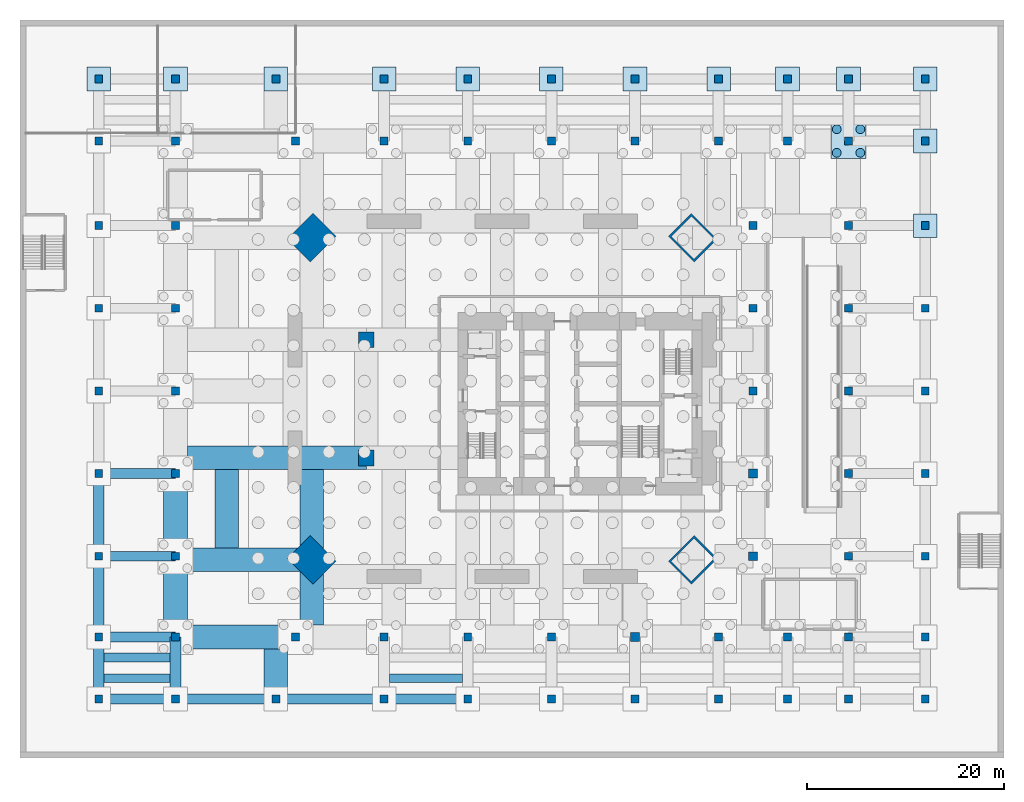
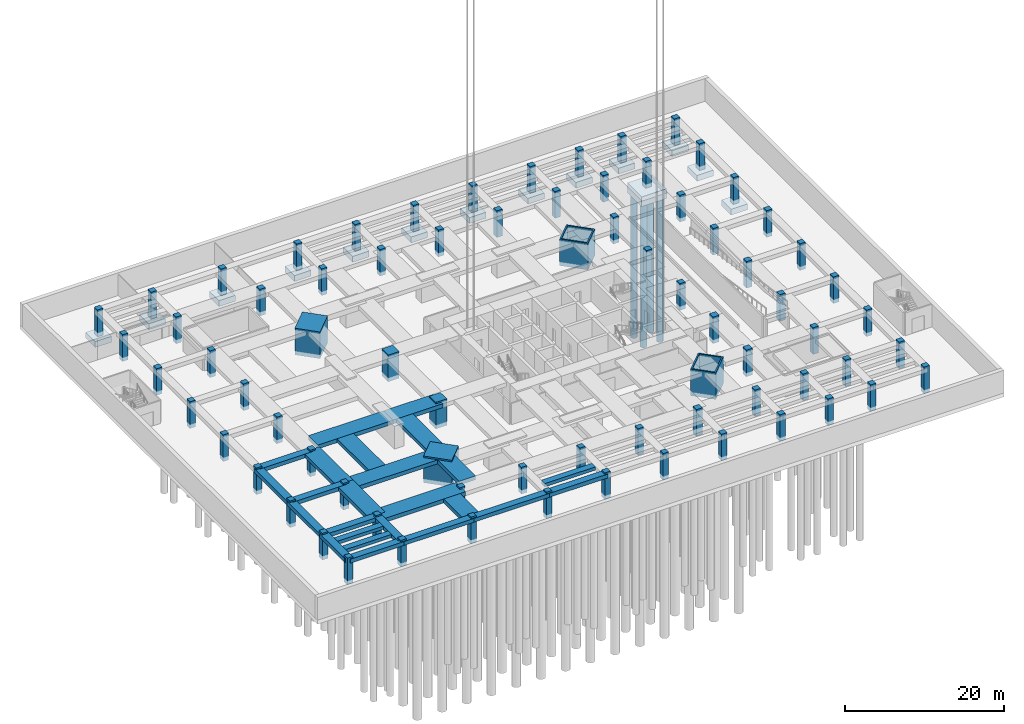
# One storey, part 3 of 15: 75 columns, 24 beams, 14 footings, 4 piles.
"""IFC4 building model written with IfcOpenShell, lengths in metres."""

from ifc_helpers import new_model, si_unit, direction, frame, origin, origin_2d, place, context, subcontext, project, spatial, polyline, rectangle, hollow_rectangle, circle, outline, extrude, material, layer, layer_set, material_profile, profile_set, type_object, element, save


model = new_model("IFC4")

# Units and contexts
model_context = context("Model", 3, precision=1e-05, world=origin(), true_north=direction((0.0, 1.0)))
body_context = subcontext(model_context, "Body", "Model", "MODEL_VIEW")
ifc_project = project(units=[si_unit("LENGTHUNIT", "METRE"), si_unit("AREAUNIT", "SQUARE_METRE"), si_unit("VOLUMEUNIT", "CUBIC_METRE"), si_unit("PLANEANGLEUNIT", "RADIAN"), si_unit("MASSUNIT", "GRAM", prefix="KILO")], contexts=[model_context])

# Site, building, storey
site_placement = place(None, origin())
site = spatial("IfcSite", under=ifc_project, at=site_placement, CompositionType="ELEMENT")
building_placement = place(site_placement, origin())
building = spatial("IfcBuilding", under=site, at=building_placement, Name="Jalousie Tower", CompositionType="ELEMENT")
storey_placement = place(building_placement, frame((0.0, 0.0, -7.5)))
storey = spatial("IfcBuildingStorey", under=building, at=storey_placement, Name="B2", CompositionType="ELEMENT", Elevation=-7.5)

# Piles
ifc_material_1 = material(Name="Concrete f'c 40 MPa", Category="concrete")
ifc_material_profile_1 = material_profile(ifc_material_1, circle(Radius=0.449951171875, at=origin_2d()), Name="BORED PILE D900")
ifc_profile_set_1 = profile_set([ifc_material_profile_1], Name="Concrete f'c 40 MPa")
pile_type = type_object("IfcPileType", Name="BORED PILE 900", PredefinedType="BORED", material=ifc_profile_set_1)
for number, where, z_axis, x_axis, name in (
    (1, (58.0, 44.0, -2.10009765625), (0.0, 0.0, -1.0), (1.0, 0.0, 0.0), "Pile PC4-33/1"),
    (2, (60.39990234375, 44.0, -2.10009765625), (0.0, 0.0, -1.0), (1.0, 0.0, 0.0), "Pile PC4-33/2"),
    (3, (60.39990234375, 46.39990234375, -2.10009765625), (0.0, 0.0, -1.0), (1.0, 0.0, 0.0), "Pile PC4-33/3"),
    (4, (58.0, 46.39990234375, -2.10009765625), (0.0, 0.0, -1.0), (1.0, 0.0, 0.0), "Pile PC4-33/4"),
):
    element("IfcPile", number, at=place(storey_placement, frame(where, z_axis=z_axis, x_axis=x_axis)), inside=storey, type_object=pile_type, Name=name, PredefinedType="BORED", context=body_context, shape_type="SweptSolid", body=[
        extrude(circle(Radius=0.449951171875, at=origin_2d()), origin(), (0.0, 0.0, 1.0), 22.0),
    ])

# Footings
ifc_material_2 = material(Name="Concrete f'c 40 MPa", Category="concrete")
ifc_layer_1 = layer(ifc_material_2, 0.89990234375)
ifc_layer_set_1 = layer_set([ifc_layer_1], Name="Concrete f'c 40 MPa")
footing_type_1 = type_object("IfcFootingType", Name="PAD FOOTING 2400", PredefinedType="PAD_FOOTING", material=ifc_layer_set_1)
footing_1_placement = place(storey_placement, frame((0.0, 0.0, -1.5)))
element("IfcFooting", 5, at=footing_1_placement, inside=storey, type_object=footing_type_1, Name="Pad footing PF-09", PredefinedType="PAD_FOOTING", context=body_context, shape_type="SweptSolid", body=[
    extrude(outline(polyline([(-18.199951171875, 50.300048828125), (-15.800048828125, 50.300048828125), (-15.800048828125, 52.699951171875), (-18.199951171875, 52.699951171875), (-18.199951171875, 50.300048828125)])), origin(), (0.0, 0.0, 1.0), 0.89990234375),
])
footing_2_placement = place(storey_placement, frame((0.0, 0.0, -1.5)))
element("IfcFooting", 6, at=footing_2_placement, inside=storey, type_object=footing_type_1, Name="Pad footing PF-11", PredefinedType="PAD_FOOTING", context=body_context, shape_type="SweptSolid", body=[
    extrude(outline(polyline([(-10.39990234375, 50.300048828125), (-8.0, 50.300048828125), (-8.0, 52.699951171875), (-10.39990234375, 52.699951171875), (-10.39990234375, 50.300048828125)])), origin(), (0.0, 0.0, 1.0), 0.89990234375),
])
footing_3_placement = place(storey_placement, frame((0.0, 0.0, -1.5)))
element("IfcFooting", 7, at=footing_3_placement, inside=storey, type_object=footing_type_1, Name="Pad footing PF-13", PredefinedType="PAD_FOOTING", context=body_context, shape_type="SweptSolid", body=[
    extrude(outline(polyline([(-0.199951171875, 50.300048828125), (2.199951171875, 50.300048828125), (2.199951171875, 52.699951171875), (-0.199951171875, 52.699951171875), (-0.199951171875, 50.300048828125)])), origin(), (0.0, 0.0, 1.0), 0.89990234375),
])
footing_4_placement = place(storey_placement, frame((0.0, 0.0, -1.5)))
element("IfcFooting", 8, at=footing_4_placement, inside=storey, type_object=footing_type_1, Name="Pad footing PF-15", PredefinedType="PAD_FOOTING", context=body_context, shape_type="SweptSolid", body=[
    extrude(outline(polyline([(10.800048828125, 50.300048828125), (13.199951171875, 50.300048828125), (13.199951171875, 52.699951171875), (10.800048828125, 52.699951171875), (10.800048828125, 50.300048828125)])), origin(), (0.0, 0.0, 1.0), 0.89990234375),
])
footing_5_placement = place(storey_placement, frame((0.0, 0.0, -1.5)))
element("IfcFooting", 9, at=footing_5_placement, inside=storey, type_object=footing_type_1, Name="Pad footing PF-17", PredefinedType="PAD_FOOTING", context=body_context, shape_type="SweptSolid", body=[
    extrude(outline(polyline([(19.300048828125, 50.300048828125), (21.699951171875, 50.300048828125), (21.699951171875, 52.699951171875), (19.300048828125, 52.699951171875), (19.300048828125, 50.300048828125)])), origin(), (0.0, 0.0, 1.0), 0.89990234375),
])
footing_6_placement = place(storey_placement, frame((0.0, 0.0, -1.5)))
element("IfcFooting", 10, at=footing_6_placement, inside=storey, type_object=footing_type_1, Name="Pad footing PF-19", PredefinedType="PAD_FOOTING", context=body_context, shape_type="SweptSolid", body=[
    extrude(outline(polyline([(27.800048828125, 50.300048828125), (30.199951171875, 50.300048828125), (30.199951171875, 52.699951171875), (27.800048828125, 52.699951171875), (27.800048828125, 50.300048828125)])), origin(), (0.0, 0.0, 1.0), 0.89990234375),
])
footing_7_placement = place(storey_placement, frame((0.0, 0.0, -1.5)))
element("IfcFooting", 11, at=footing_7_placement, inside=storey, type_object=footing_type_1, Name="Pad footing PF-21", PredefinedType="PAD_FOOTING", context=body_context, shape_type="SweptSolid", body=[
    extrude(outline(polyline([(36.300048828125, 50.300048828125), (38.699951171875, 50.300048828125), (38.699951171875, 52.699951171875), (36.300048828125, 52.699951171875), (36.300048828125, 50.300048828125)])), origin(), (0.0, 0.0, 1.0), 0.89990234375),
])
footing_8_placement = place(storey_placement, frame((0.0, 0.0, -1.5)))
element("IfcFooting", 12, at=footing_8_placement, inside=storey, type_object=footing_type_1, Name="Pad footing PF-23", PredefinedType="PAD_FOOTING", context=body_context, shape_type="SweptSolid", body=[
    extrude(outline(polyline([(44.800048828125, 50.300048828125), (47.199951171875, 50.300048828125), (47.199951171875, 52.699951171875), (44.800048828125, 52.699951171875), (44.800048828125, 50.300048828125)])), origin(), (0.0, 0.0, 1.0), 0.89990234375),
])
footing_9_placement = place(storey_placement, frame((0.0, 0.0, -1.5)))
element("IfcFooting", 13, at=footing_9_placement, inside=storey, type_object=footing_type_1, Name="Pad footing PF-25", PredefinedType="PAD_FOOTING", context=body_context, shape_type="SweptSolid", body=[
    extrude(outline(polyline([(51.800048828125, 50.300048828125), (54.199951171875, 50.300048828125), (54.199951171875, 52.699951171875), (51.800048828125, 52.699951171875), (51.800048828125, 50.300048828125)])), origin(), (0.0, 0.0, 1.0), 0.89990234375),
])
footing_10_placement = place(storey_placement, frame((0.0, 0.0, -1.5)))
element("IfcFooting", 14, at=footing_10_placement, inside=storey, type_object=footing_type_1, Name="Pad footing PF-27", PredefinedType="PAD_FOOTING", context=body_context, shape_type="SweptSolid", body=[
    extrude(outline(polyline([(58.0, 50.300048828125), (60.39990234375, 50.300048828125), (60.39990234375, 52.699951171875), (58.0, 52.699951171875), (58.0, 50.300048828125)])), origin(), (0.0, 0.0, 1.0), 0.89990234375),
])
footing_11_placement = place(storey_placement, frame((0.0, 0.0, -1.5)))
element("IfcFooting", 15, at=footing_11_placement, inside=storey, type_object=footing_type_1, Name="Pad footing PF-34", PredefinedType="PAD_FOOTING", context=body_context, shape_type="SweptSolid", body=[
    extrude(outline(polyline([(65.800048828125, 35.39990234375), (68.199951171875, 35.39990234375), (68.199951171875, 37.800048828125), (65.800048828125, 37.800048828125), (65.800048828125, 35.39990234375)])), origin(), (0.0, 0.0, 1.0), 0.89990234375),
])
footing_12_placement = place(storey_placement, frame((0.0, 0.0, -1.5)))
element("IfcFooting", 16, at=footing_12_placement, inside=storey, type_object=footing_type_1, Name="Pad footing PF-35", PredefinedType="PAD_FOOTING", context=body_context, shape_type="SweptSolid", body=[
    extrude(outline(polyline([(65.800048828125, 44.0), (68.199951171875, 44.0), (68.199951171875, 46.39990234375), (65.800048828125, 46.39990234375), (65.800048828125, 44.0)])), origin(), (0.0, 0.0, 1.0), 0.89990234375),
])
footing_13_placement = place(storey_placement, frame((0.0, 0.0, -1.5)))
element("IfcFooting", 17, at=footing_13_placement, inside=storey, type_object=footing_type_1, Name="Pad footing PF-36", PredefinedType="PAD_FOOTING", context=body_context, shape_type="SweptSolid", body=[
    extrude(outline(polyline([(65.800048828125, 50.300048828125), (68.199951171875, 50.300048828125), (68.199951171875, 52.699951171875), (65.800048828125, 52.699951171875), (65.800048828125, 50.300048828125)])), origin(), (0.0, 0.0, 1.0), 0.89990234375),
])
ifc_material_3 = material(Name="Concrete f'c 40 MPa", Category="concrete")
ifc_layer_2 = layer(ifc_material_3, 1.5)
ifc_layer_set_2 = layer_set([ifc_layer_2], Name="Concrete f'c 40 MPa")
footing_type_2 = type_object("IfcFootingType", Name="PILE CAP 4P 1500", PredefinedType="PILE_CAP", material=ifc_layer_set_2)
footing_14_placement = place(storey_placement, frame((0.0, 0.0, -2.10009765625)))
element("IfcFooting", 18, at=footing_14_placement, inside=storey, type_object=footing_type_2, Name="Pile cap PC4-33", PredefinedType="PILE_CAP", context=body_context, shape_type="SweptSolid", body=[
    extrude(outline(polyline([(57.39990234375, 43.39990234375), (61.0, 43.39990234375), (61.0, 47.0), (57.39990234375, 47.0), (57.39990234375, 43.39990234375)])), origin(), (0.0, 0.0, 1.0), 1.5),
])

# Columns
ifc_material_4 = material(Name="Steel EN 10025-2 S355J2 plate", Category="steel")
ifc_material_profile_2 = material_profile(ifc_material_4, hollow_rectangle(XDim=3.300048828125, YDim=3.699951171875, WallThickness=0.199951171875, at=origin_2d()), Name="BOX 3700x3300x200")
ifc_profile_set_2 = profile_set([ifc_material_profile_2], Name="Steel EN 10025-2 S355J2 plate")
column_type_1 = type_object("IfcColumnType", Name="BUILT-UP BOX CORNER COLUMN BOX 3700x3300x200", PredefinedType="COLUMN", material=ifc_profile_set_2)
for number, where, z_axis, x_axis, name in (
    (19, (43.36865234375, 2.63134765625, -0.60009765625), (0.0, 0.0, 1.0), (-0.707106781187, 0.707106781187, 0.0), "Corner column 05 B2"),
    (20, (43.36865234375, 35.36865234375, -0.60009765625), (0.0, 0.0, 1.0), (-0.707106781187, -0.707106781187, 0.0), "Corner column 08 B2"),
):
    element("IfcColumn", number, at=place(storey_placement, frame(where, z_axis=z_axis, x_axis=x_axis)), inside=storey, type_object=column_type_1, Name=name, PredefinedType="COLUMN", context=body_context, shape_type="SweptSolid", body=[
        extrude(hollow_rectangle(XDim=3.300048828125, YDim=3.699951171875, WallThickness=0.199951171875, at=origin_2d()), origin(), (0.0, 0.0, 1.0), 4.10009765625),
    ])
ifc_material_5 = material(Name="Concrete f'c 120 MPa", Category="concrete")
ifc_material_profile_3 = material_profile(ifc_material_5, rectangle(XDim=1.60009765625, YDim=1.60009765625, at=origin_2d()), Name="RC 1600x1600")
ifc_profile_set_3 = profile_set([ifc_material_profile_3], Name="Concrete f'c 120 MPa")
column_type_2 = type_object("IfcColumnType", Name="RC COLUMN 1600x1600", PredefinedType="COLUMN", material=ifc_profile_set_3)
for number, where, z_axis, x_axis, name in (
    (21, (10.199951171875, 13.0, -0.60009765625), (0.0, 0.0, 1.0), (1.0, 0.0, 0.0), "Interior column IA1 B2"),
    (22, (10.199951171875, 25.0, -0.60009765625), (0.0, 0.0, 1.0), (1.0, 0.0, 0.0), "Interior column IA2 B2"),
):
    element("IfcColumn", number, at=place(storey_placement, frame(where, z_axis=z_axis, x_axis=x_axis)), inside=storey, type_object=column_type_2, Name=name, PredefinedType="COLUMN", context=body_context, shape_type="SweptSolid", body=[
        extrude(rectangle(XDim=1.60009765625, YDim=1.60009765625, at=origin_2d()), origin(), (0.0, 0.0, 1.0), 4.10009765625),
    ])
ifc_material_6 = material(Name="Concrete f'c 120 MPa", Category="concrete")
ifc_material_profile_4 = material_profile(ifc_material_6, rectangle(XDim=0.800048828125, YDim=0.800048828125, at=origin_2d()), Name="RC 800x800")
ifc_profile_set_4 = profile_set([ifc_material_profile_4], Name="Concrete f'c 120 MPa")
column_type_3 = type_object("IfcColumnType", Name="RC COLUMN 800x800", PredefinedType="COLUMN", material=ifc_profile_set_4)
for number, where, z_axis, x_axis, name in (
    (23, (-9.199951171875, -5.199951171875, -0.60009765625), (0.0, 0.0, 1.0), (1.0, 0.0, 0.0), "Podium column P01 B2"),
    (24, (3.0, -5.199951171875, -0.60009765625), (0.0, 0.0, 1.0), (1.0, 0.0, 0.0), "Podium column P02 B2"),
    (25, (12.0, -5.199951171875, -0.60009765625), (0.0, 0.0, 1.0), (1.0, 0.0, 0.0), "Podium column P03 B2"),
    (26, (20.5, -5.199951171875, -0.60009765625), (0.0, 0.0, 1.0), (1.0, 0.0, 0.0), "Podium column P04 B2"),
    (27, (29.0, -5.199951171875, -0.60009765625), (0.0, 0.0, 1.0), (1.0, 0.0, 0.0), "Podium column P05 B2"),
    (28, (46.0, -5.199951171875, -0.60009765625), (0.0, 0.0, 1.0), (1.0, 0.0, 0.0), "Podium column P07 B2"),
    (29, (53.0, -5.199951171875, -0.60009765625), (0.0, 0.0, 1.0), (1.0, 0.0, 0.0), "Podium column P08 B2"),
    (30, (59.199951171875, -5.199951171875, -0.60009765625), (0.0, 0.0, 1.0), (1.0, 0.0, 0.0), "Podium column P09 B2"),
    (31, (-9.199951171875, 3.0, -0.60009765625), (0.0, 0.0, 1.0), (1.0, 0.0, 0.0), "Podium column P10 B2"),
    (32, (59.199951171875, 3.0, -0.60009765625), (0.0, 0.0, 1.0), (1.0, 0.0, 0.0), "Podium column P12 B2"),
    (33, (-9.199951171875, 11.39990234375, -0.60009765625), (0.0, 0.0, 1.0), (1.0, 0.0, 0.0), "Podium column P13 B2"),
    (34, (59.199951171875, 11.39990234375, -0.60009765625), (0.0, 0.0, 1.0), (1.0, 0.0, 0.0), "Podium column P15 B2"),
    (35, (-9.199951171875, 19.800048828125, -0.60009765625), (0.0, 0.0, 1.0), (1.0, 0.0, 0.0), "Podium column P16 B2"),
    (36, (49.5, 19.800048828125, -0.60009765625), (0.0, 0.0, 1.0), (1.0, 0.0, 0.0), "Podium column P17 B2"),
    (37, (59.199951171875, 19.800048828125, -0.60009765625), (0.0, 0.0, 1.0), (1.0, 0.0, 0.0), "Podium column P18 B2"),
    (38, (-9.199951171875, 28.199951171875, -0.60009765625), (0.0, 0.0, 1.0), (1.0, 0.0, 0.0), "Podium column P19 B2"),
    (39, (49.5, 28.199951171875, -0.60009765625), (0.0, 0.0, 1.0), (1.0, 0.0, 0.0), "Podium column P20 B2"),
    (40, (59.199951171875, 28.199951171875, -0.60009765625), (0.0, 0.0, 1.0), (1.0, 0.0, 0.0), "Podium column P21 B2"),
    (41, (-9.199951171875, 36.60009765625, -0.60009765625), (0.0, 0.0, 1.0), (1.0, 0.0, 0.0), "Podium column P22 B2"),
    (42, (49.5, 36.60009765625, -0.60009765625), (0.0, 0.0, 1.0), (1.0, 0.0, 0.0), "Podium column P23 B2"),
    (43, (59.199951171875, 36.60009765625, -0.60009765625), (0.0, 0.0, 1.0), (1.0, 0.0, 0.0), "Podium column P24 B2"),
    (44, (-9.199951171875, 45.199951171875, -0.60009765625), (0.0, 0.0, 1.0), (1.0, 0.0, 0.0), "Podium column P25 B2"),
    (45, (3.0, 45.199951171875, -0.60009765625), (0.0, 0.0, 1.0), (1.0, 0.0, 0.0), "Podium column P26 B2"),
    (46, (12.0, 45.199951171875, -0.60009765625), (0.0, 0.0, 1.0), (1.0, 0.0, 0.0), "Podium column P27 B2"),
    (47, (20.5, 45.199951171875, -0.60009765625), (0.0, 0.0, 1.0), (1.0, 0.0, 0.0), "Podium column P28 B2"),
    (48, (29.0, 45.199951171875, -0.60009765625), (0.0, 0.0, 1.0), (1.0, 0.0, 0.0), "Podium column P29 B2"),
    (49, (37.5, 45.199951171875, -0.60009765625), (0.0, 0.0, 1.0), (1.0, 0.0, 0.0), "Podium column P30 B2"),
    (50, (46.0, 45.199951171875, -0.60009765625), (0.0, 0.0, 1.0), (1.0, 0.0, 0.0), "Podium column P31 B2"),
    (51, (53.0, 45.199951171875, -0.60009765625), (0.0, 0.0, 1.0), (1.0, 0.0, 0.0), "Podium column P32 B2"),
    (52, (59.199951171875, 45.199951171875, -0.60009765625), (0.0, 0.0, 1.0), (1.0, 0.0, 0.0), "Podium column P33 B2"),
    (53, (-17.0, -11.5, -0.60009765625), (0.0, 0.0, 1.0), (1.0, 0.0, 0.0), "Basement column 01 B2"),
    (54, (-17.0, -5.199951171875, -0.60009765625), (0.0, 0.0, 1.0), (1.0, 0.0, 0.0), "Basement column 02 B2"),
    (55, (-17.0, 3.0, -0.60009765625), (0.0, 0.0, 1.0), (1.0, 0.0, 0.0), "Basement column 03 B2"),
    (56, (-17.0, 11.39990234375, -0.60009765625), (0.0, 0.0, 1.0), (1.0, 0.0, 0.0), "Basement column 04 B2"),
    (57, (-17.0, 19.800048828125, -0.60009765625), (0.0, 0.0, 1.0), (1.0, 0.0, 0.0), "Basement column 05 B2"),
    (58, (-17.0, 28.199951171875, -0.60009765625), (0.0, 0.0, 1.0), (1.0, 0.0, 0.0), "Basement column 06 B2"),
    (59, (-17.0, 36.60009765625, -0.60009765625), (0.0, 0.0, 1.0), (1.0, 0.0, 0.0), "Basement column 07 B2"),
    (60, (-17.0, 45.199951171875, -0.60009765625), (0.0, 0.0, 1.0), (1.0, 0.0, 0.0), "Basement column 08 B2"),
    (61, (-17.0, 51.5, -0.60009765625), (0.0, 0.0, 1.0), (1.0, 0.0, 0.0), "Basement column 09 B2"),
    (62, (-9.199951171875, -11.5, -0.60009765625), (0.0, 0.0, 1.0), (1.0, 0.0, 0.0), "Basement column 10 B2"),
    (63, (-9.199951171875, 51.5, -0.60009765625), (0.0, 0.0, 1.0), (1.0, 0.0, 0.0), "Basement column 11 B2"),
    (64, (1.0, -11.5, -0.60009765625), (0.0, 0.0, 1.0), (1.0, 0.0, 0.0), "Basement column 12 B2"),
    (65, (1.0, 51.5, -0.60009765625), (0.0, 0.0, 1.0), (1.0, 0.0, 0.0), "Basement column 13 B2"),
    (66, (12.0, -11.5, -0.60009765625), (0.0, 0.0, 1.0), (1.0, 0.0, 0.0), "Basement column 14 B2"),
    (67, (12.0, 51.5, -0.60009765625), (0.0, 0.0, 1.0), (1.0, 0.0, 0.0), "Basement column 15 B2"),
    (68, (20.5, -11.5, -0.60009765625), (0.0, 0.0, 1.0), (1.0, 0.0, 0.0), "Basement column 16 B2"),
    (69, (20.5, 51.5, -0.60009765625), (0.0, 0.0, 1.0), (1.0, 0.0, 0.0), "Basement column 17 B2"),
    (70, (29.0, -11.5, -0.60009765625), (0.0, 0.0, 1.0), (1.0, 0.0, 0.0), "Basement column 18 B2"),
    (71, (29.0, 51.5, -0.60009765625), (0.0, 0.0, 1.0), (1.0, 0.0, 0.0), "Basement column 19 B2"),
    (72, (37.5, -11.5, -0.60009765625), (0.0, 0.0, 1.0), (1.0, 0.0, 0.0), "Basement column 20 B2"),
    (73, (37.5, 51.5, -0.60009765625), (0.0, 0.0, 1.0), (1.0, 0.0, 0.0), "Basement column 21 B2"),
    (74, (46.0, -11.5, -0.60009765625), (0.0, 0.0, 1.0), (1.0, 0.0, 0.0), "Basement column 22 B2"),
    (75, (46.0, 51.5, -0.60009765625), (0.0, 0.0, 1.0), (1.0, 0.0, 0.0), "Basement column 23 B2"),
    (76, (53.0, -11.5, -0.60009765625), (0.0, 0.0, 1.0), (1.0, 0.0, 0.0), "Basement column 24 B2"),
    (77, (53.0, 51.5, -0.60009765625), (0.0, 0.0, 1.0), (1.0, 0.0, 0.0), "Basement column 25 B2"),
    (78, (59.199951171875, -11.5, -0.60009765625), (0.0, 0.0, 1.0), (1.0, 0.0, 0.0), "Basement column 26 B2"),
    (79, (59.199951171875, 51.5, -0.60009765625), (0.0, 0.0, 1.0), (1.0, 0.0, 0.0), "Basement column 27 B2"),
    (80, (67.0, -11.5, -0.60009765625), (0.0, 0.0, 1.0), (1.0, 0.0, 0.0), "Basement column 28 B2"),
    (81, (67.0, -5.199951171875, -0.60009765625), (0.0, 0.0, 1.0), (1.0, 0.0, 0.0), "Basement column 29 B2"),
    (82, (67.0, 3.0, -0.60009765625), (0.0, 0.0, 1.0), (1.0, 0.0, 0.0), "Basement column 30 B2"),
    (83, (67.0, 11.39990234375, -0.60009765625), (0.0, 0.0, 1.0), (1.0, 0.0, 0.0), "Basement column 31 B2"),
    (84, (67.0, 19.800048828125, -0.60009765625), (0.0, 0.0, 1.0), (1.0, 0.0, 0.0), "Basement column 32 B2"),
    (85, (67.0, 28.199951171875, -0.60009765625), (0.0, 0.0, 1.0), (1.0, 0.0, 0.0), "Basement column 33 B2"),
    (86, (67.0, 36.60009765625, -0.60009765625), (0.0, 0.0, 1.0), (1.0, 0.0, 0.0), "Basement column 34 B2"),
    (87, (67.0, 45.199951171875, -0.60009765625), (0.0, 0.0, 1.0), (1.0, 0.0, 0.0), "Basement column 35 B2"),
    (88, (67.0, 51.5, -0.60009765625), (0.0, 0.0, 1.0), (1.0, 0.0, 0.0), "Basement column 36 B2"),
):
    element("IfcColumn", number, at=place(storey_placement, frame(where, z_axis=z_axis, x_axis=x_axis)), inside=storey, type_object=column_type_3, Name=name, PredefinedType="COLUMN", context=body_context, shape_type="SweptSolid", body=[
        extrude(rectangle(XDim=0.800048828125, YDim=0.800048828125, at=origin_2d()), origin(), (0.0, 0.0, 1.0), 4.10009765625),
    ])
ifc_material_7 = material(Name="Concrete f'c 120 MPa", Category="concrete")
ifc_material_profile_5 = material_profile(ifc_material_7, rectangle(XDim=0.89990234375, YDim=0.89990234375, at=origin_2d()), Name="RC 900x900")
ifc_profile_set_5 = profile_set([ifc_material_profile_5], Name="Concrete f'c 120 MPa")
column_type_4 = type_object("IfcColumnType", Name="RC COLUMN 900x900", PredefinedType="COLUMN", material=ifc_profile_set_5)
for number, where, z_axis, x_axis, name in (
    (89, (37.5, -5.199951171875, -0.60009765625), (0.0, 0.0, 1.0), (1.0, 0.0, 0.0), "Podium column P06 B2"),
    (90, (49.5, 3.0, -0.60009765625), (0.0, 0.0, 1.0), (1.0, 0.0, 0.0), "Podium column P11 B2"),
    (91, (49.5, 11.39990234375, -0.60009765625), (0.0, 0.0, 1.0), (1.0, 0.0, 0.0), "Podium column P14 B2"),
):
    element("IfcColumn", number, at=place(storey_placement, frame(where, z_axis=z_axis, x_axis=x_axis)), inside=storey, type_object=column_type_4, Name=name, PredefinedType="COLUMN", context=body_context, shape_type="SweptSolid", body=[
        extrude(rectangle(XDim=0.89990234375, YDim=0.89990234375, at=origin_2d()), origin(), (0.0, 0.0, 1.0), 4.10009765625),
    ])
ifc_material_8 = material(Name="Concrete f'c 120 MPa", Category="concrete")
ifc_material_profile_6 = material_profile(ifc_material_8, rectangle(XDim=3.300048828125, YDim=3.699951171875, at=origin_2d()), Name="RC 3300x3700")
ifc_profile_set_6 = profile_set([ifc_material_profile_6], Name="Concrete f'c 120 MPa")
column_type_5 = type_object("IfcColumnType", Name="RC CORNER COLUMN 3300x3700", PredefinedType="COLUMN", material=ifc_profile_set_6)
for number, where, z_axis, x_axis, name in (
    (92, (4.63134765625, 2.63134765625, -0.60009765625), (0.0, 0.0, 1.0), (0.707106781187, 0.707106781187, 0.0), "Corner column 01 B2"),
    (93, (4.63134765625, 35.36865234375, -0.60009765625), (0.0, 0.0, 1.0), (0.707106781187, -0.707106781187, 0.0), "Corner column 12 B2"),
):
    element("IfcColumn", number, at=place(storey_placement, frame(where, z_axis=z_axis, x_axis=x_axis)), inside=storey, type_object=column_type_5, Name=name, PredefinedType="COLUMN", context=body_context, shape_type="SweptSolid", body=[
        extrude(rectangle(XDim=3.300048828125, YDim=3.699951171875, at=origin_2d()), origin(), (0.0, 0.0, 1.0), 4.10009765625),
    ])

# Beams
ifc_material_9 = material(Name="Concrete f'c 40 MPa", Category="concrete")
ifc_material_profile_7 = material_profile(ifc_material_9, rectangle(XDim=1.0, YDim=0.60009765625, at=origin_2d()), Name="RC 1000x600")
ifc_profile_set_7 = profile_set([ifc_material_profile_7], Name="Concrete f'c 40 MPa")
beam_type_1 = type_object("IfcBeamType", Name="RC BEAM 1000x600", PredefinedType="BEAM", material=ifc_profile_set_7)
for number, where, z_axis, x_axis, name in (
    (94, (-17.0, -11.5, 2.9599609375), (1.0, 0.0, 0.0), (0.0, 1.0, 0.0), "Girder under B1 1-1 east-west"),
    (95, (-17.0, -5.199951171875, 2.9599609375), (1.0, 0.0, 0.0), (0.0, 1.0, 0.0), "Girder under B1 1-2 east-west"),
    (96, (-17.0, 3.0, 2.9599609375), (1.0, 0.0, 0.0), (0.0, 1.0, 0.0), "Girder under B1 1-3 east-west"),
    (97, (-17.0, 11.39990234375, 2.9599609375), (1.0, 0.0, 0.0), (0.0, 1.0, 0.0), "Girder under B1 1-4 east-west"),
):
    element("IfcBeam", number, at=place(storey_placement, frame(where, z_axis=z_axis, x_axis=x_axis)), inside=storey, type_object=beam_type_1, Name=name, PredefinedType="BEAM", context=body_context, shape_type="SweptSolid", body=[
        extrude(rectangle(XDim=1.0, YDim=0.60009765625, at=origin_2d()), origin(), (0.0, 0.0, 1.0), 7.800048828125),
    ])
beam_1_placement = place(storey_placement, frame((-9.199951171875, -11.5, 2.9599609375), z_axis=(1.0, 0.0, 0.0), x_axis=(0.0, 1.0, 0.0)))
element("IfcBeam", 98, at=beam_1_placement, inside=storey, type_object=beam_type_1, Name="Girder under B1 2-1 east-west", PredefinedType="BEAM", context=body_context, shape_type="SweptSolid", body=[
    extrude(rectangle(XDim=1.0, YDim=0.60009765625, at=origin_2d()), origin(), (0.0, 0.0, 1.0), 10.199951171875),
])
beam_2_placement = place(storey_placement, frame((1.0, -11.5, 2.9599609375), z_axis=(1.0, 0.0, 0.0), x_axis=(0.0, 1.0, 0.0)))
element("IfcBeam", 99, at=beam_2_placement, inside=storey, type_object=beam_type_1, Name="Girder under B1 3-1 east-west", PredefinedType="BEAM", context=body_context, shape_type="SweptSolid", body=[
    extrude(rectangle(XDim=1.0, YDim=0.60009765625, at=origin_2d()), origin(), (0.0, 0.0, 1.0), 11.0),
])
beam_3_placement = place(storey_placement, frame((12.0, -11.5, 2.9599609375), z_axis=(1.0, 0.0, 0.0), x_axis=(0.0, 1.0, 0.0)))
element("IfcBeam", 100, at=beam_3_placement, inside=storey, type_object=beam_type_1, Name="Girder under B1 4-1 east-west", PredefinedType="BEAM", context=body_context, shape_type="SweptSolid", body=[
    extrude(rectangle(XDim=1.0, YDim=0.60009765625, at=origin_2d()), origin(), (0.0, 0.0, 1.0), 8.5),
])
ifc_material_10 = material(Name="Concrete f'c 40 MPa", Category="concrete")
ifc_material_profile_8 = material_profile(ifc_material_10, rectangle(XDim=1.10009765625, YDim=0.60009765625, at=origin_2d()), Name="RC 1100x600")
ifc_profile_set_8 = profile_set([ifc_material_profile_8], Name="Concrete f'c 40 MPa")
beam_type_2 = type_object("IfcBeamType", Name="RC BEAM 1100x600", PredefinedType="BEAM", material=ifc_profile_set_8)
beam_4_placement = place(storey_placement, frame((-17.0, -11.5, 2.9599609375), z_axis=(0.0, 1.0, 0.0), x_axis=(-1.0, 0.0, 0.0)))
element("IfcBeam", 101, at=beam_4_placement, inside=storey, type_object=beam_type_2, Name="Girder under B1 1-1 north-south", PredefinedType="BEAM", context=body_context, shape_type="SweptSolid", body=[
    extrude(rectangle(XDim=1.10009765625, YDim=0.60009765625, at=origin_2d()), origin(), (0.0, 0.0, 1.0), 6.300048828125),
])
beam_5_placement = place(storey_placement, frame((-17.0, -5.199951171875, 2.9599609375), z_axis=(0.0, 1.0, 0.0), x_axis=(-1.0, 0.0, 0.0)))
element("IfcBeam", 102, at=beam_5_placement, inside=storey, type_object=beam_type_2, Name="Girder under B1 1-2 north-south", PredefinedType="BEAM", context=body_context, shape_type="SweptSolid", body=[
    extrude(rectangle(XDim=1.10009765625, YDim=0.60009765625, at=origin_2d()), origin(), (0.0, 0.0, 1.0), 8.199951171875),
])
beam_6_placement = place(storey_placement, frame((-17.0, 3.0, 2.9599609375), z_axis=(0.0, 1.0, 0.0), x_axis=(-1.0, 0.0, 0.0)))
element("IfcBeam", 103, at=beam_6_placement, inside=storey, type_object=beam_type_2, Name="Girder under B1 1-3 north-south", PredefinedType="BEAM", context=body_context, shape_type="SweptSolid", body=[
    extrude(rectangle(XDim=1.10009765625, YDim=0.60009765625, at=origin_2d()), origin(), (0.0, 0.0, 1.0), 8.39990234375),
])
beam_7_placement = place(storey_placement, frame((-9.199951171875, -11.5, 2.9599609375), z_axis=(0.0, 1.0, 0.0), x_axis=(-1.0, 0.0, 0.0)))
element("IfcBeam", 104, at=beam_7_placement, inside=storey, type_object=beam_type_2, Name="Girder under B1 2-1 north-south", PredefinedType="BEAM", context=body_context, shape_type="SweptSolid", body=[
    extrude(rectangle(XDim=1.10009765625, YDim=0.60009765625, at=origin_2d()), origin(), (0.0, 0.0, 1.0), 6.300048828125),
])
ifc_material_11 = material(Name="Concrete f'c 40 MPa", Category="concrete")
ifc_material_profile_9 = material_profile(ifc_material_11, rectangle(XDim=2.39990234375, YDim=0.60009765625, at=origin_2d()), Name="RC 2400x600")
ifc_profile_set_9 = profile_set([ifc_material_profile_9], Name="Concrete f'c 40 MPa")
beam_type_3 = type_object("IfcBeamType", Name="RC BEAM 2400x600", PredefinedType="BEAM", material=ifc_profile_set_9)
beam_8_placement = place(storey_placement, frame((-9.199951171875, -5.199951171875, 2.9599609375), z_axis=(1.0, 0.0, 0.0), x_axis=(0.0, 1.0, 0.0)))
element("IfcBeam", 105, at=beam_8_placement, inside=storey, type_object=beam_type_3, Name="Floor band beam under B1", PredefinedType="BEAM", context=body_context, shape_type="SweptSolid", body=[
    extrude(rectangle(XDim=2.39990234375, YDim=0.60009765625, at=origin_2d()), origin(), (0.0, 0.0, 1.0), 12.199951171875),
])
beam_9_placement = place(storey_placement, frame((-9.199951171875, -5.199951171875, 2.9599609375), z_axis=(0.0, 1.0, 0.0), x_axis=(-1.0, 0.0, 0.0)))
element("IfcBeam", 106, at=beam_9_placement, inside=storey, type_object=beam_type_3, Name="Floor band beam under B1", PredefinedType="BEAM", context=body_context, shape_type="SweptSolid", body=[
    extrude(rectangle(XDim=2.39990234375, YDim=0.60009765625, at=origin_2d()), origin(), (0.0, 0.0, 1.0), 8.199951171875),
])
beam_10_placement = place(storey_placement, frame((-9.199951171875, 3.0, 2.9599609375), z_axis=(0.0, 1.0, 0.0), x_axis=(-1.0, 0.0, 0.0)))
element("IfcBeam", 107, at=beam_10_placement, inside=storey, type_object=beam_type_3, Name="Floor band beam under B1", PredefinedType="BEAM", context=body_context, shape_type="SweptSolid", body=[
    extrude(rectangle(XDim=2.39990234375, YDim=0.60009765625, at=origin_2d()), origin(), (0.0, 0.0, 1.0), 8.39990234375),
])
beam_11_placement = place(storey_placement, frame((2.949951171875, 13.0, 2.9599609375), z_axis=(1.0, 0.0, 0.0), x_axis=(0.0, 1.0, 0.0)))
element("IfcBeam", 108, at=beam_11_placement, inside=storey, type_object=beam_type_3, Name="Floor band beam under B1", PredefinedType="BEAM", context=body_context, shape_type="SweptSolid", body=[
    extrude(rectangle(XDim=2.39990234375, YDim=0.60009765625, at=origin_2d()), origin(), (0.0, 0.0, 1.0), 7.25),
])
beam_12_placement = place(storey_placement, frame((1.0, -11.5, 2.9599609375), z_axis=(0.0, 1.0, 0.0), x_axis=(-1.0, 0.0, 0.0)))
element("IfcBeam", 109, at=beam_12_placement, inside=storey, type_object=beam_type_3, Name="Floor band beam under B1", PredefinedType="BEAM", context=body_context, shape_type="SweptSolid", body=[
    extrude(rectangle(XDim=2.39990234375, YDim=0.60009765625, at=origin_2d()), origin(), (0.0, 0.0, 1.0), 5.10009765625),
])
beam_13_placement = place(storey_placement, frame((2.949951171875, 13.0, 2.9599609375), z_axis=(-1.0, 0.0, 0.0), x_axis=(0.0, -1.0, 0.0)))
element("IfcBeam", 110, at=beam_13_placement, inside=storey, type_object=beam_type_3, Name="Floor band beam under B1", PredefinedType="BEAM", context=body_context, shape_type="SweptSolid", body=[
    extrude(rectangle(XDim=2.39990234375, YDim=0.60009765625, at=origin_2d()), origin(), (0.0, 0.0, 1.0), 10.949951171875),
])
beam_14_placement = place(storey_placement, frame((4.63134765625, 2.63134765625, 2.9599609375), z_axis=(-1.0, 0.0, 0.0), x_axis=(0.0, -1.0, 0.0)))
element("IfcBeam", 111, at=beam_14_placement, inside=storey, type_object=beam_type_3, Name="Floor band beam under B1", PredefinedType="BEAM", context=body_context, shape_type="SweptSolid", body=[
    extrude(rectangle(XDim=2.39990234375, YDim=0.60009765625, at=origin_2d()), origin(), (0.0, 0.0, 1.0), 12.63134765625),
])
beam_15_placement = place(storey_placement, frame((4.63134765625, 2.63134765625, 2.9599609375), z_axis=(0.0, 1.0, 0.0), x_axis=(-1.0, 0.0, 0.0)))
element("IfcBeam", 112, at=beam_15_placement, inside=storey, type_object=beam_type_3, Name="Floor band beam under B1", PredefinedType="BEAM", context=body_context, shape_type="SweptSolid", body=[
    extrude(rectangle(XDim=2.39990234375, YDim=0.60009765625, at=origin_2d()), origin(), (0.0, 0.0, 1.0), 9.168701171875),
])
beam_16_placement = place(storey_placement, frame((4.63134765625, 2.63134765625, 2.9599609375), z_axis=(0.0, -1.0, 0.0), x_axis=(1.0, 0.0, 0.0)))
element("IfcBeam", 113, at=beam_16_placement, inside=storey, type_object=beam_type_3, Name="Floor band beam under B1", PredefinedType="BEAM", context=body_context, shape_type="SweptSolid", body=[
    extrude(rectangle(XDim=2.39990234375, YDim=0.60009765625, at=origin_2d()), origin(), (0.0, 0.0, 1.0), 6.63134765625),
])
beam_17_placement = place(storey_placement, frame((-4.0, 3.831298828125, 2.9599609375), z_axis=(0.0, 1.0, 0.0), x_axis=(-1.0, 0.0, 0.0)))
element("IfcBeam", 114, at=beam_17_placement, inside=storey, type_object=beam_type_3, Name="Floor band beam under B1", PredefinedType="BEAM", context=body_context, shape_type="SweptSolid", body=[
    extrude(rectangle(XDim=2.39990234375, YDim=0.60009765625, at=origin_2d()), origin(), (0.0, 0.0, 1.0), 7.96875),
])
ifc_material_12 = material(Name="Concrete f'c 40 MPa", Category="concrete")
ifc_material_profile_10 = material_profile(ifc_material_12, rectangle(XDim=0.89990234375, YDim=0.5, at=origin_2d()), Name="RC 900x500")
ifc_profile_set_10 = profile_set([ifc_material_profile_10], Name="Concrete f'c 40 MPa")
beam_type_4 = type_object("IfcBeamType", Name="RC BEAM 900x500", PredefinedType="BEAM", material=ifc_profile_set_10)
for number, where, z_axis, x_axis, name in (
    (115, (-16.449951171875, -9.39990234375, 3.010009765625), (1.0, 0.0, 0.0), (0.0, 1.0, 0.0), "Secondary beam 1 under B1 bay 1-1"),
    (116, (-16.449951171875, -7.300048828125, 3.010009765625), (1.0, 0.0, 0.0), (0.0, 1.0, 0.0), "Secondary beam 2 under B1 bay 1-1"),
):
    element("IfcBeam", number, at=place(storey_placement, frame(where, z_axis=z_axis, x_axis=x_axis)), inside=storey, type_object=beam_type_4, Name=name, PredefinedType="BEAM", context=body_context, shape_type="SweptSolid", body=[
        extrude(rectangle(XDim=0.89990234375, YDim=0.5, at=origin_2d()), origin(), (0.0, 0.0, 1.0), 6.699951171875),
    ])
beam_18_placement = place(storey_placement, frame((12.550048828125, -9.39990234375, 3.010009765625), z_axis=(1.0, 0.0, 0.0), x_axis=(0.0, 1.0, 0.0)))
element("IfcBeam", 117, at=beam_18_placement, inside=storey, type_object=beam_type_4, Name="Secondary beam 1 under B1 bay 4-1", PredefinedType="BEAM", context=body_context, shape_type="SweptSolid", body=[
    extrude(rectangle(XDim=0.89990234375, YDim=0.5, at=origin_2d()), origin(), (0.0, 0.0, 1.0), 7.39990234375),
])

save(model, "model.ifc")
